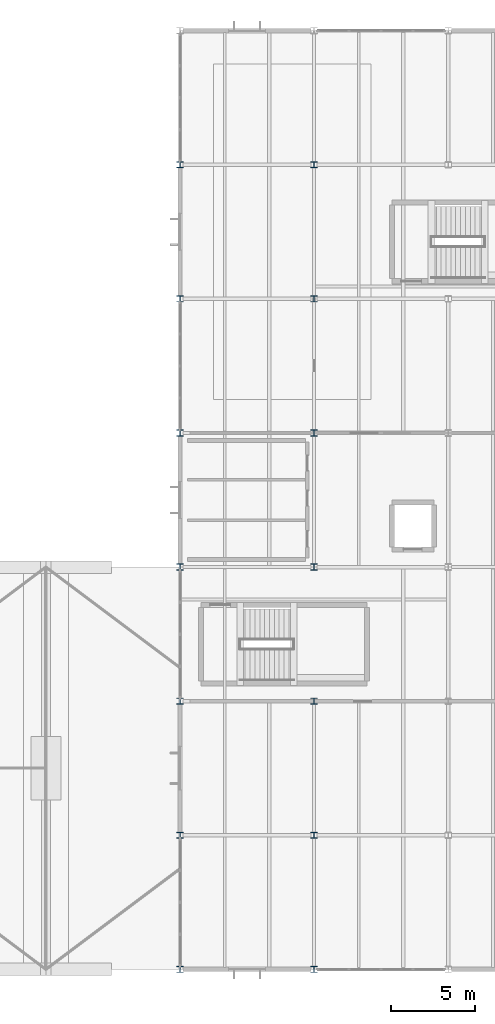
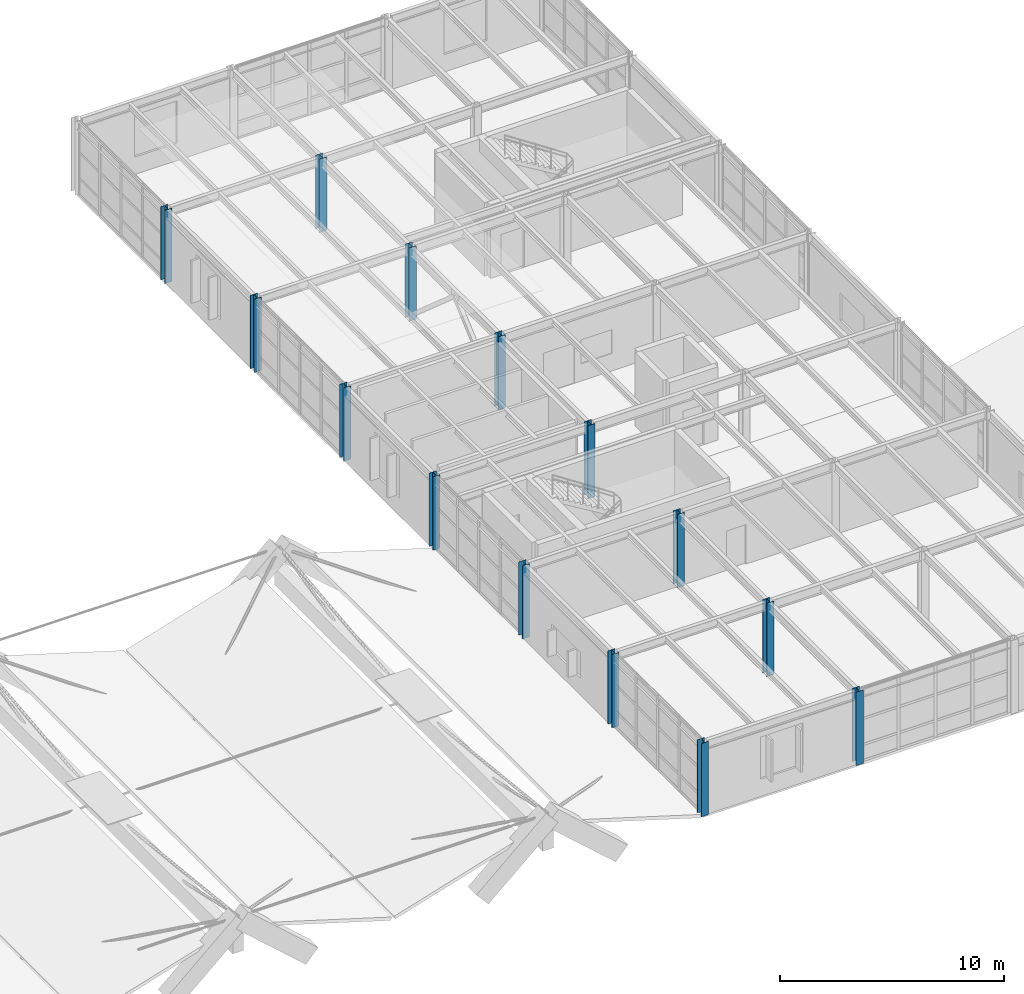
# One storey, part 5 of 50: 14 columns.
"""IFC4 building model written with IfcOpenShell, lengths in metres."""

from ifc_helpers import new_model, si_unit, direction, frame, origin, origin_2d, place, context, subcontext, project, spatial, i_section, extrude, material, material_profile, profile_set, type_object, element, save


model = new_model("IFC4")

# Units and contexts
model_context = context("Model", 3, precision=1e-05, world=origin(), true_north=direction((0.0, 1.0)))
body_context = subcontext(model_context, "Body", "Model", "MODEL_VIEW")
ifc_project = project(units=[si_unit("LENGTHUNIT", "METRE"), si_unit("AREAUNIT", "SQUARE_METRE"), si_unit("VOLUMEUNIT", "CUBIC_METRE"), si_unit("PLANEANGLEUNIT", "RADIAN"), si_unit("MASSUNIT", "GRAM", prefix="KILO")], contexts=[model_context])

# Site, building, storey
site_placement = place(None, origin())
site = spatial("IfcSite", under=ifc_project, at=site_placement, CompositionType="ELEMENT")
building_placement = place(site_placement, origin())
building = spatial("IfcBuilding", under=site, at=building_placement, Name="Varnela Railside Interchange", CompositionType="ELEMENT")
storey_placement = place(building_placement, frame((0.0, 0.0, 15.39990234375)))
storey = spatial("IfcBuildingStorey", under=building, at=storey_placement, Name="L03", CompositionType="ELEMENT", Elevation=15.39990234375)

# Columns
ifc_material = material(Name="Steel AR 350 (350 MPa)", Category="steel")
ifc_material_profile = material_profile(ifc_material, i_section(OverallWidth=0.373046875, OverallDepth=0.367919921875, WebThickness=0.014892578125, FlangeThickness=0.02392578125, at=origin_2d()), Name="W360x179")
ifc_profile_set = profile_set([ifc_material_profile], Name="Steel AR 350 (350 MPa)")
column_type = type_object("IfcColumnType", Name="Superstructure Steel Col C-18", PredefinedType="COLUMN", material=ifc_profile_set)
for number, where, z_axis, x_axis, name in (
    (1, (116.0, 38.0, 0.0), (0.0, 0.0, 1.0), (1.0, 0.0, 0.0), "Column C-18 (L03) (CL-0817)"),
    (2, (116.0, 46.0, 0.0), (0.0, 0.0, 1.0), (1.0, 0.0, 0.0), "Column C-18 (L03) (CL-0818)"),
    (3, (116.0, 54.0, 0.0), (0.0, 0.0, 1.0), (1.0, 0.0, 0.0), "Column C-18 (L03) (CL-0819)"),
    (4, (116.0, 62.0, 0.0), (0.0, 0.0, 1.0), (1.0, 0.0, 0.0), "Column C-18 (L03) (CL-0820)"),
    (5, (116.0, 70.0, 0.0), (0.0, 0.0, 1.0), (1.0, 0.0, 0.0), "Column C-18 (L03) (CL-0821)"),
    (6, (116.0, 78.0, 0.0), (0.0, 0.0, 1.0), (1.0, 0.0, 0.0), "Column C-18 (L03) (CL-0822)"),
    (7, (116.0, 86.0, 0.0), (0.0, 0.0, 1.0), (1.0, 0.0, 0.0), "Column C-18 (L03) (CL-0823)"),
    (8, (124.0, 38.0, 0.0), (0.0, 0.0, 1.0), (1.0, 0.0, 0.0), "Column C-18 (L03) (CL-0825)"),
    (9, (124.0, 46.0, 0.0), (0.0, 0.0, 1.0), (1.0, 0.0, 0.0), "Column C-18 (L03) (CL-0826)"),
    (10, (124.0, 54.0, 0.0), (0.0, 0.0, 1.0), (1.0, 0.0, 0.0), "Column C-18 (L03) (CL-0827)"),
    (11, (124.0, 62.0, 0.0), (0.0, 0.0, 1.0), (1.0, 0.0, 0.0), "Column C-18 (L03) (CL-0828)"),
    (12, (124.0, 70.0, 0.0), (0.0, 0.0, 1.0), (1.0, 0.0, 0.0), "Column C-18 (L03) (CL-0829)"),
    (13, (124.0, 78.0, 0.0), (0.0, 0.0, 1.0), (1.0, 0.0, 0.0), "Column C-18 (L03) (CL-0830)"),
    (14, (124.0, 86.0, 0.0), (0.0, 0.0, 1.0), (1.0, 0.0, 0.0), "Column C-18 (L03) (CL-0831)"),
):
    element("IfcColumn", number, at=place(storey_placement, frame(where, z_axis=z_axis, x_axis=x_axis)), inside=storey, type_object=column_type, Name=name, PredefinedType="COLUMN", context=body_context, shape_type="SweptSolid", body=[
        extrude(i_section(OverallWidth=0.373046875, OverallDepth=0.367919921875, WebThickness=0.014892578125, FlangeThickness=0.02392578125, at=origin_2d()), origin(), (0.0, 0.0, 1.0), 4.0),
    ])

save(model, "model.ifc")
